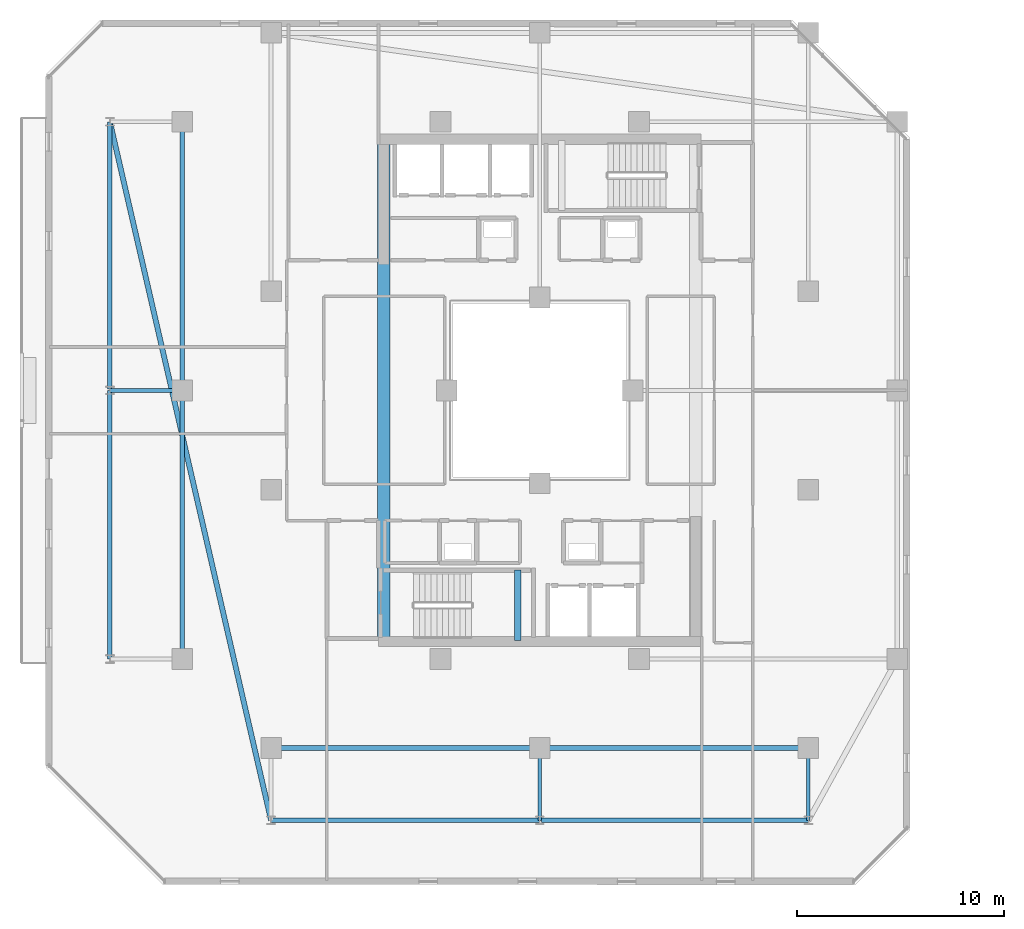
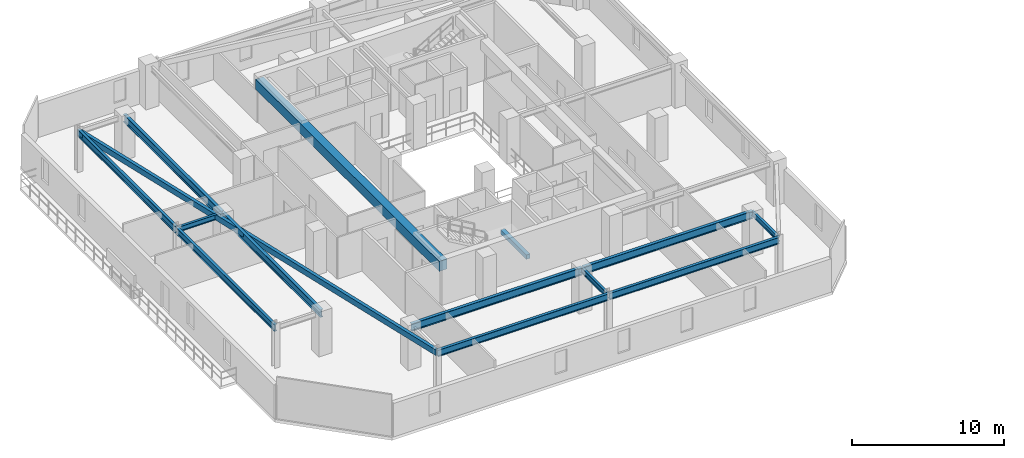
# One storey, part 4 of 31: 14 beams.
"""IFC4 building model written with IfcOpenShell, lengths in metres."""

from ifc_helpers import new_model, si_unit, direction, frame, origin, origin_2d, place, context, subcontext, project, spatial, rectangle, hollow_rectangle, i_section, extrude, material, material_profile, profile_set, type_object, element, save


model = new_model("IFC4")

# Units and contexts
model_context = context("Model", 3, precision=1e-05, world=origin(), true_north=direction((0.0, 1.0)))
body_context = subcontext(model_context, "Body", "Model", "MODEL_VIEW")
ifc_project = project(units=[si_unit("LENGTHUNIT", "METRE"), si_unit("AREAUNIT", "SQUARE_METRE"), si_unit("VOLUMEUNIT", "CUBIC_METRE"), si_unit("PLANEANGLEUNIT", "RADIAN"), si_unit("MASSUNIT", "GRAM", prefix="KILO")], contexts=[model_context])

# Site, building, storey
site_placement = place(None, origin())
site = spatial("IfcSite", under=ifc_project, at=site_placement, CompositionType="ELEMENT")
building_placement = place(site_placement, origin())
building = spatial("IfcBuilding", under=site, at=building_placement, Name="Thornwick Lancets Civic Towers", CompositionType="ELEMENT")
storey_placement = place(building_placement, frame((0.0, 0.0, 236.699951171875)))
storey = spatial("IfcBuildingStorey", under=building, at=storey_placement, Name="L63", CompositionType="ELEMENT", Elevation=236.699951171875)

# Beams
ifc_material_1 = material(Name="Concrete C60/75", Category="concrete")
ifc_material_profile_1 = material_profile(ifc_material_1, rectangle(XDim=0.60009765625, YDim=0.800048828125, at=origin_2d()), Name="RC 600x800")
ifc_profile_set_1 = profile_set([ifc_material_profile_1], Name="Concrete C60/75")
beam_type_1 = type_object("IfcBeamType", Name="BM_COUP_RC800", PredefinedType="BEAM", material=ifc_profile_set_1)
beam_1_placement = place(storey_placement, frame((17.949951171875, 14.89990234375, 2.9599609375), z_axis=(0.0, 1.0, 0.0), x_axis=(-1.0, 0.0, 0.0)))
element("IfcBeam", 1, at=beam_1_placement, inside=storey, type_object=beam_type_1, Name="CB-L63-A2", PredefinedType="BEAM", context=body_context, shape_type="SweptSolid", body=[
    extrude(rectangle(XDim=0.60009765625, YDim=0.800048828125, at=origin_2d()), origin(), (0.0, 0.0, 1.0), 24.2001953125),
])
ifc_material_2 = material(Name="Steel S355JR", Category="steel")
ifc_material_profile_2 = material_profile(ifc_material_2, i_section(OverallWidth=0.210693359375, OverallDepth=0.53955078125, WebThickness=0.01171875, FlangeThickness=0.018798828125, FilletRadius=0.0126953125, at=origin_2d()), Name="UKB 533x210x109")
ifc_profile_set_2 = profile_set([ifc_material_profile_2], Name="Steel S355JR")
beam_type_2 = type_object("IfcBeamType", Name="BM_EDGE_533_109", PredefinedType="SPANDREL", material=ifc_profile_set_2)
beam_2_placement = place(storey_placement, frame((12.5, 6.199951171875, 3.09033203125), z_axis=(1.0, 0.0, 0.0), x_axis=(0.0, 1.0, 0.0)))
element("IfcBeam", 2, at=beam_2_placement, inside=storey, type_object=beam_type_2, Name="BM-EDGE-L63-A-S0-1", PredefinedType="SPANDREL", context=body_context, shape_type="SweptSolid", body=[
    extrude(i_section(OverallWidth=0.210693359375, OverallDepth=0.53955078125, WebThickness=0.01171875, FlangeThickness=0.018798828125, FilletRadius=0.0126953125, at=origin_2d()), origin(), (0.0, 0.0, 1.0), 13.0),
])
beam_3_placement = place(storey_placement, frame((25.580078125, 6.199951171875, 3.09033203125), z_axis=(1.0, 0.0, 0.0), x_axis=(0.0, 1.0, 0.0)))
element("IfcBeam", 3, at=beam_3_placement, inside=storey, type_object=beam_type_2, Name="BM-EDGE-L63-A-S0-2", PredefinedType="SPANDREL", context=body_context, shape_type="SweptSolid", body=[
    extrude(i_section(OverallWidth=0.210693359375, OverallDepth=0.53955078125, WebThickness=0.01171875, FlangeThickness=0.018798828125, FilletRadius=0.0126953125, at=origin_2d()), origin(), (0.0, 0.0, 1.0), 12.919921875),
])
beam_4_placement = place(storey_placement, frame((4.699951171875, 14.0, 3.09033203125), z_axis=(0.0, 1.0, 0.0), x_axis=(-1.0, 0.0, 0.0)))
element("IfcBeam", 4, at=beam_4_placement, inside=storey, type_object=beam_type_2, Name="BM-EDGE-L63-A-S3-1", PredefinedType="SPANDREL", context=body_context, shape_type="SweptSolid", body=[
    extrude(i_section(OverallWidth=0.210693359375, OverallDepth=0.53955078125, WebThickness=0.01171875, FlangeThickness=0.018798828125, FilletRadius=0.0126953125, at=origin_2d()), origin(), (0.0, 0.0, 1.0), 13.0),
])
beam_5_placement = place(storey_placement, frame((4.699951171875, 27.080078125, 3.09033203125), z_axis=(0.0, 1.0, 0.0), x_axis=(-1.0, 0.0, 0.0)))
element("IfcBeam", 5, at=beam_5_placement, inside=storey, type_object=beam_type_2, Name="BM-EDGE-L63-A-S3-2", PredefinedType="SPANDREL", context=body_context, shape_type="SweptSolid", body=[
    extrude(i_section(OverallWidth=0.210693359375, OverallDepth=0.53955078125, WebThickness=0.01171875, FlangeThickness=0.018798828125, FilletRadius=0.0126953125, at=origin_2d()), origin(), (0.0, 0.0, 1.0), 12.919921875),
])
ifc_material_profile_3 = material_profile(ifc_material_2, i_section(OverallWidth=0.230224609375, OverallDepth=0.6171875, WebThickness=0.01318359375, FlangeThickness=0.022216796875, FilletRadius=0.0126953125, at=origin_2d()), Name="UKB 610x229x140")
ifc_profile_set_3 = profile_set([ifc_material_profile_3], Name="Steel S355JR")
beam_type_3 = type_object("IfcBeamType", Name="BM_GIRD_610_140", PredefinedType="BEAM", material=ifc_profile_set_3)
beam_6_placement = place(storey_placement, frame((12.5, 9.699951171875, 3.051513671875), z_axis=(1.0, 0.0, 0.0), x_axis=(0.0, 1.0, 0.0)))
element("IfcBeam", 6, at=beam_6_placement, inside=storey, type_object=beam_type_3, Name="BM-SPINE-L63-A-0-1", PredefinedType="BEAM", context=body_context, shape_type="SweptSolid", body=[
    extrude(i_section(OverallWidth=0.230224609375, OverallDepth=0.6171875, WebThickness=0.01318359375, FlangeThickness=0.022216796875, FilletRadius=0.0126953125, at=origin_2d()), origin(), (0.0, 0.0, 1.0), 13.0),
])
beam_7_placement = place(storey_placement, frame((25.580078125, 9.699951171875, 3.051513671875), z_axis=(1.0, 0.0, 0.0), x_axis=(0.0, 1.0, 0.0)))
element("IfcBeam", 7, at=beam_7_placement, inside=storey, type_object=beam_type_3, Name="BM-SPINE-L63-A-1-2", PredefinedType="BEAM", context=body_context, shape_type="SweptSolid", body=[
    extrude(i_section(OverallWidth=0.230224609375, OverallDepth=0.6171875, WebThickness=0.01318359375, FlangeThickness=0.022216796875, FilletRadius=0.0126953125, at=origin_2d()), origin(), (0.0, 0.0, 1.0), 12.919921875),
])
beam_8_placement = place(storey_placement, frame((8.199951171875, 14.0, 3.051513671875), z_axis=(0.0, 1.0, 0.0), x_axis=(-1.0, 0.0, 0.0)))
element("IfcBeam", 8, at=beam_8_placement, inside=storey, type_object=beam_type_3, Name="BM-SPINE-L63-A-9-10", PredefinedType="BEAM", context=body_context, shape_type="SweptSolid", body=[
    extrude(i_section(OverallWidth=0.230224609375, OverallDepth=0.6171875, WebThickness=0.01318359375, FlangeThickness=0.022216796875, FilletRadius=0.0126953125, at=origin_2d()), origin(), (0.0, 0.0, 1.0), 13.0),
])
beam_9_placement = place(storey_placement, frame((8.199951171875, 27.080078125, 3.051513671875), z_axis=(0.0, 1.0, 0.0), x_axis=(-1.0, 0.0, 0.0)))
element("IfcBeam", 9, at=beam_9_placement, inside=storey, type_object=beam_type_3, Name="BM-SPINE-L63-A-10-11", PredefinedType="BEAM", context=body_context, shape_type="SweptSolid", body=[
    extrude(i_section(OverallWidth=0.230224609375, OverallDepth=0.6171875, WebThickness=0.01318359375, FlangeThickness=0.022216796875, FilletRadius=0.0126953125, at=origin_2d()), origin(), (0.0, 0.0, 1.0), 12.919921875),
])
ifc_material_profile_4 = material_profile(ifc_material_2, i_section(OverallWidth=0.179443359375, OverallDepth=0.412841796875, WebThickness=0.009521484375, FlangeThickness=0.01611328125, FilletRadius=0.01025390625, at=origin_2d()), Name="UKB 406x178x74")
ifc_profile_set_4 = profile_set([ifc_material_profile_4], Name="Steel S355JR")
beam_type_4 = type_object("IfcBeamType", Name="BM_JOIST_406_74", PredefinedType="JOIST", material=ifc_profile_set_4)
for number, where, z_axis, x_axis, name in (
    (10, (25.5, 9.699951171875, 3.153564453125), (0.0, -1.0, 0.0), (1.0, 0.0, 0.0), "BM-RAD-L63-A02"),
    (11, (38.5, 9.699951171875, 3.153564453125), (0.0, -1.0, 0.0), (1.0, 0.0, 0.0), "BM-RAD-L63-A03"),
    (12, (8.199951171875, 27.0, 3.153564453125), (-1.0, 0.0, 0.0), (0.0, -1.0, 0.0), "BM-RAD-L63-A11"),
):
    element("IfcBeam", number, at=place(storey_placement, frame(where, z_axis=z_axis, x_axis=x_axis)), inside=storey, type_object=beam_type_4, Name=name, PredefinedType="JOIST", context=body_context, shape_type="SweptSolid", body=[
        extrude(i_section(OverallWidth=0.179443359375, OverallDepth=0.412841796875, WebThickness=0.009521484375, FlangeThickness=0.01611328125, FilletRadius=0.01025390625, at=origin_2d()), origin(), (0.0, 0.0, 1.0), 3.5),
    ])
ifc_material_profile_5 = material_profile(ifc_material_2, hollow_rectangle(XDim=0.25, YDim=0.449951171875, WallThickness=0.01611328125, at=origin_2d()), Name="RHS 450x250x16")
ifc_profile_set_5 = profile_set([ifc_material_profile_5], Name="Steel S355JR")
beam_type_5 = type_object("IfcBeamType", Name="BM_RING_RHS450", PredefinedType="BEAM", material=ifc_profile_set_5)
beam_10_placement = place(storey_placement, frame((4.699951171875, 40.0, 3.135009765625), z_axis=(0.224860534737, -0.974390958454, 0.0), x_axis=(0.974390958454, 0.224860534737, 0.0)))
element("IfcBeam", 13, at=beam_10_placement, inside=storey, type_object=beam_type_5, Name="BM-CHAMF-L63-A-C3", PredefinedType="BEAM", context=body_context, shape_type="SweptSolid", body=[
    extrude(hollow_rectangle(XDim=0.25, YDim=0.449951171875, WallThickness=0.01611328125, at=origin_2d()), origin(), (0.0, 0.0, 1.0), 34.6884765625),
])
ifc_material_3 = material(Name="Concrete C40/50", Category="concrete")
ifc_material_profile_6 = material_profile(ifc_material_3, rectangle(XDim=0.300048828125, YDim=0.35009765625, at=origin_2d()), Name="RC 300x350")
ifc_profile_set_6 = profile_set([ifc_material_profile_6], Name="Concrete C40/50")
beam_type_6 = type_object("IfcBeamType", Name="BM_STAIR_LDG", PredefinedType="BEAM", material=ifc_profile_set_6)
beam_11_placement = place(storey_placement, frame((24.43505859375, 14.89990234375, 1.3779296875), z_axis=(0.0, 1.0, 0.0), x_axis=(-1.0, 0.0, 0.0)))
element("IfcBeam", 14, at=beam_11_placement, inside=storey, type_object=beam_type_6, Name="L63 ST-A1 Landing Support Beam 1", PredefinedType="BEAM", context=body_context, shape_type="SweptSolid", body=[
    extrude(rectangle(XDim=0.300048828125, YDim=0.35009765625, at=origin_2d()), origin(), (0.0, 0.0, 1.0), 3.400146484375),
])

save(model, "model.ifc")
